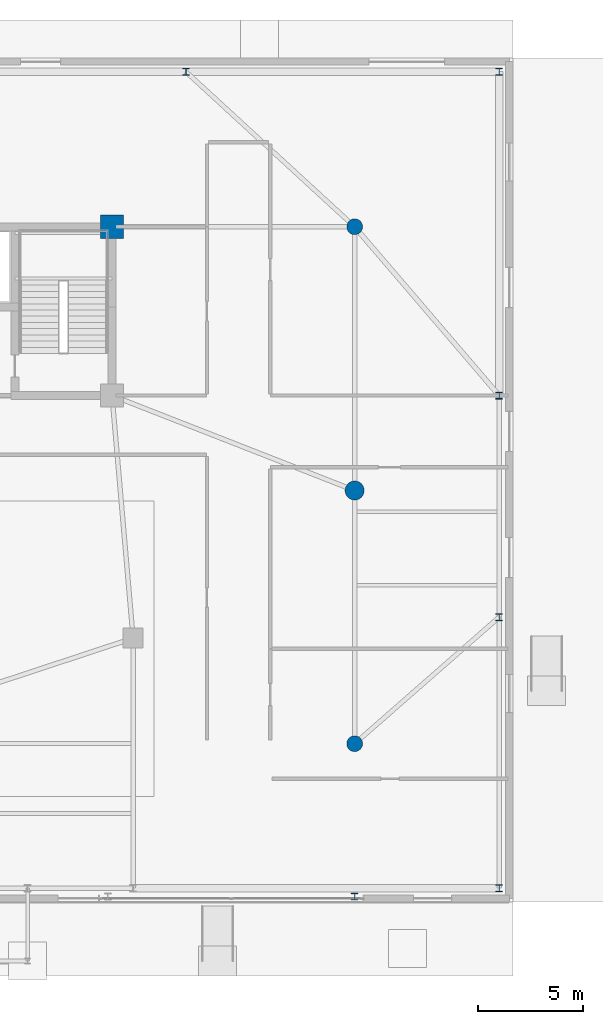
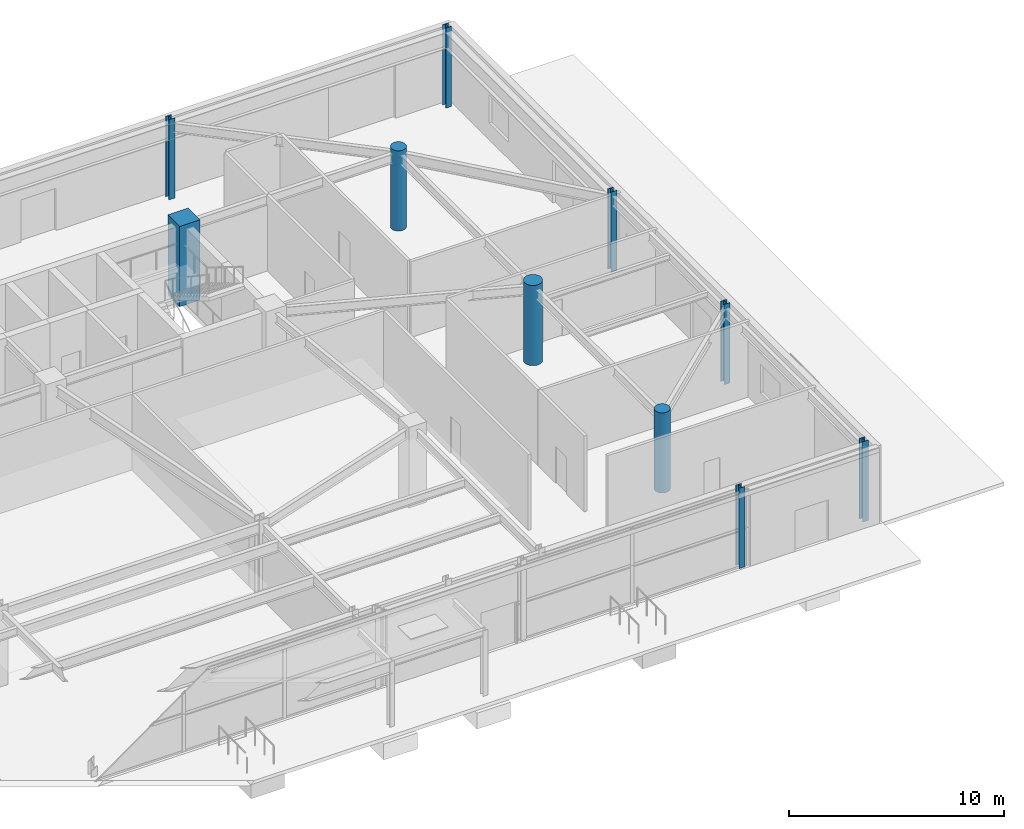
# One storey, part 6 of 29: 10 columns.
"""IFC4 building model written with IfcOpenShell, lengths in metres."""

from ifc_helpers import new_model, si_unit, direction, frame, origin, origin_2d, place, context, subcontext, project, spatial, rectangle, circle, i_section, extrude, source, transform, mapped, material, material_profile, profile_set, type_object, element, save


model = new_model("IFC4")

# Units and contexts
model_context = context("Model", 3, precision=1e-05, world=origin(), true_north=direction((0.0, 1.0)))
body_context = subcontext(model_context, "Body", "Model", "MODEL_VIEW")
ifc_project = project(units=[si_unit("LENGTHUNIT", "METRE"), si_unit("AREAUNIT", "SQUARE_METRE"), si_unit("VOLUMEUNIT", "CUBIC_METRE"), si_unit("PLANEANGLEUNIT", "RADIAN"), si_unit("MASSUNIT", "GRAM", prefix="KILO")], contexts=[model_context])

# Site, building, storey
site_placement = place(None, origin())
site = spatial("IfcSite", under=ifc_project, at=site_placement, CompositionType="ELEMENT")
building_placement = place(site_placement, origin())
building = spatial("IfcBuilding", under=site, at=building_placement, Name="Taldren Reach Tower", CompositionType="ELEMENT")
storey_placement = place(building_placement, origin())
storey = spatial("IfcBuildingStorey", under=building, at=storey_placement, Name="L00", CompositionType="ELEMENT", Elevation=0.0)

# Columns
ifc_material_1 = material(Name="Concrete S100 (100 MPa)", Category="concrete")
ifc_material_profile_1 = material_profile(ifc_material_1, rectangle(XDim=1.10009765625, YDim=1.10009765625, at=origin_2d()), Name="RC-1100x1100")
ifc_profile_set_1 = profile_set([ifc_material_profile_1], Name="Concrete S100 (100 MPa)")
column_type_1 = type_object("IfcColumnType", Name="COL-RC1100", PredefinedType="COLUMN", material=ifc_profile_set_1)
shared_shape_1 = source(origin(), body_context, "Body", "SweptSolid", [
    extrude(rectangle(XDim=1.10009765625, YDim=1.10009765625, at=origin_2d()), origin(), (0.0, 0.0, 1.0), 4.550048828125),
])
column_1_placement = place(storey_placement, frame((51.0, 32.0, 0.0), z_axis=(0.0, 0.0, 1.0), x_axis=(1.0, 0.0, 0.0)))
element("IfcColumn", 1, at=column_1_placement, inside=storey, type_object=column_type_1, Name="Mega column MC-C8 L00", PredefinedType="COLUMN", context=body_context, shape_type="MappedRepresentation", body=[
    mapped(shared_shape_1, transform((0.0, 0.0, 0.0), scale=1.0)),
])
ifc_material_2 = material(Name="Concrete S80 (80 MPa)", Category="concrete")
ifc_material_profile_2 = material_profile(ifc_material_2, circle(Radius=0.449951171875, at=origin_2d()), Name="RC-900D")
ifc_profile_set_2 = profile_set([ifc_material_profile_2], Name="Concrete S80 (80 MPa)")
column_type_2 = type_object("IfcColumnType", Name="COL-RCD900", PredefinedType="COLUMN", material=ifc_profile_set_2)
shared_shape_2 = source(origin(), body_context, "Body", "SweptSolid", [
    extrude(circle(Radius=0.449951171875, at=origin_2d()), origin(), (0.0, 0.0, 1.0), 4.550048828125),
])
column_2_placement = place(storey_placement, frame((62.5, 19.5, 0.0), z_axis=(0.0, 0.0, 1.0), x_axis=(1.0, 0.0, 0.0)))
element("IfcColumn", 2, at=column_2_placement, inside=storey, type_object=column_type_2, Name="Podium structural column PG-5 L00", PredefinedType="COLUMN", context=body_context, shape_type="MappedRepresentation", body=[
    mapped(shared_shape_2, transform((0.0, 0.0, 0.0), scale=1.0)),
])
ifc_material_3 = material(Name="Concrete S65 (65 MPa)", Category="concrete")
ifc_material_profile_3 = material_profile(ifc_material_3, circle(Radius=0.375, at=origin_2d()), Name="RC-750D")
ifc_profile_set_3 = profile_set([ifc_material_profile_3], Name="Concrete S65 (65 MPa)")
column_type_3 = type_object("IfcColumnType", Name="COL-RCD750", PredefinedType="COLUMN", material=ifc_profile_set_3)
shared_shape_3 = source(origin(), body_context, "Body", "SweptSolid", [
    extrude(circle(Radius=0.375, at=origin_2d()), origin(), (0.0, 0.0, 1.0), 4.550048828125),
])
for number, where, z_axis, x_axis, name in (
    (3, (62.5, 7.5, 0.0), (0.0, 0.0, 1.0), (1.0, 0.0, 0.0), "Podium structural column PG-4 L00"),
    (4, (62.5, 32.0, 0.0), (0.0, 0.0, 1.0), (1.0, 0.0, 0.0), "Podium structural column PG-6 L00"),
):
    element("IfcColumn", number, at=place(storey_placement, frame(where, z_axis=z_axis, x_axis=x_axis)), inside=storey, type_object=column_type_3, Name=name, PredefinedType="COLUMN", context=body_context, shape_type="MappedRepresentation", body=[
        mapped(shared_shape_3, transform((0.0, 0.0, 0.0), scale=1.0)),
    ])
ifc_material_4 = material(Name="Steel Gr 350 (350PLUS)", Category="steel")
ifc_material_profile_4 = material_profile(ifc_material_4, i_section(OverallWidth=0.31103515625, OverallDepth=0.326904296875, WebThickness=0.015625, FlangeThickness=0.02490234375, at=origin_2d()), Name="310UC158")
ifc_profile_set_4 = profile_set([ifc_material_profile_4], Name="Steel Gr 350 (350PLUS)")
column_type_4 = type_object("IfcColumnType", Name="COL-UC310A", PredefinedType="COLUMN", material=ifc_profile_set_4)
shared_shape_4 = source(origin(), body_context, "Body", "SweptSolid", [
    extrude(i_section(OverallWidth=0.31103515625, OverallDepth=0.326904296875, WebThickness=0.015625, FlangeThickness=0.02490234375, at=origin_2d()), origin(), (0.0, 0.0, 1.0), 4.550048828125),
])
for number, where, z_axis, x_axis, name in (
    (5, (69.35009765625, 0.64990234375, 0.0), (0.0, 0.0, 1.0), (1.0, 0.0, 0.0), "Podium structural column PP-E1 L00"),
    (6, (69.35009765625, 13.5, 0.0), (0.0, 0.0, 1.0), (1.0, 0.0, 0.0), "Podium structural column PP-E2 L00"),
    (7, (69.35009765625, 24.0, 0.0), (0.0, 0.0, 1.0), (1.0, 0.0, 0.0), "Podium structural column PP-E3 L00"),
    (8, (69.35009765625, 39.35009765625, 0.0), (0.0, 0.0, 1.0), (1.0, 0.0, 0.0), "Podium structural column PP-E4 L00"),
    (9, (54.5, 39.35009765625, 0.0), (0.0, 0.0, 1.0), (1.0, 0.0, 0.0), "Podium structural column PP-N3 L00"),
):
    element("IfcColumn", number, at=place(storey_placement, frame(where, z_axis=z_axis, x_axis=x_axis)), inside=storey, type_object=column_type_4, Name=name, PredefinedType="COLUMN", context=body_context, shape_type="MappedRepresentation", body=[
        mapped(shared_shape_4, transform((0.0, 0.0, 0.0), scale=1.0)),
    ])
ifc_material_profile_5 = material_profile(ifc_material_4, i_section(OverallWidth=0.306884765625, OverallDepth=0.31494140625, WebThickness=0.011962890625, FlangeThickness=0.018798828125, at=origin_2d()), Name="310UC118")
ifc_profile_set_5 = profile_set([ifc_material_profile_5], Name="Steel Gr 350 (350PLUS)")
column_type_5 = type_object("IfcColumnType", Name="PIL-UC310", PredefinedType="PILASTER", material=ifc_profile_set_5)
shared_shape_5 = source(origin(), body_context, "Body", "SweptSolid", [
    extrude(i_section(OverallWidth=0.306884765625, OverallDepth=0.31494140625, WebThickness=0.011962890625, FlangeThickness=0.018798828125, at=origin_2d()), origin(), (0.0, 0.0, 1.0), 4.550048828125),
])
column_3_placement = place(storey_placement, frame((62.5, 0.25, 0.0), z_axis=(0.0, 0.0, 1.0), x_axis=(1.0, 0.0, 0.0)))
element("IfcColumn", 10, at=column_3_placement, inside=storey, type_object=column_type_5, Name="Waterfront colonnade pilaster S-62.5 L00", PredefinedType="PILASTER", context=body_context, shape_type="MappedRepresentation", body=[
    mapped(shared_shape_5, transform((0.0, 0.0, 0.0), scale=1.0)),
])

save(model, "model.ifc")
